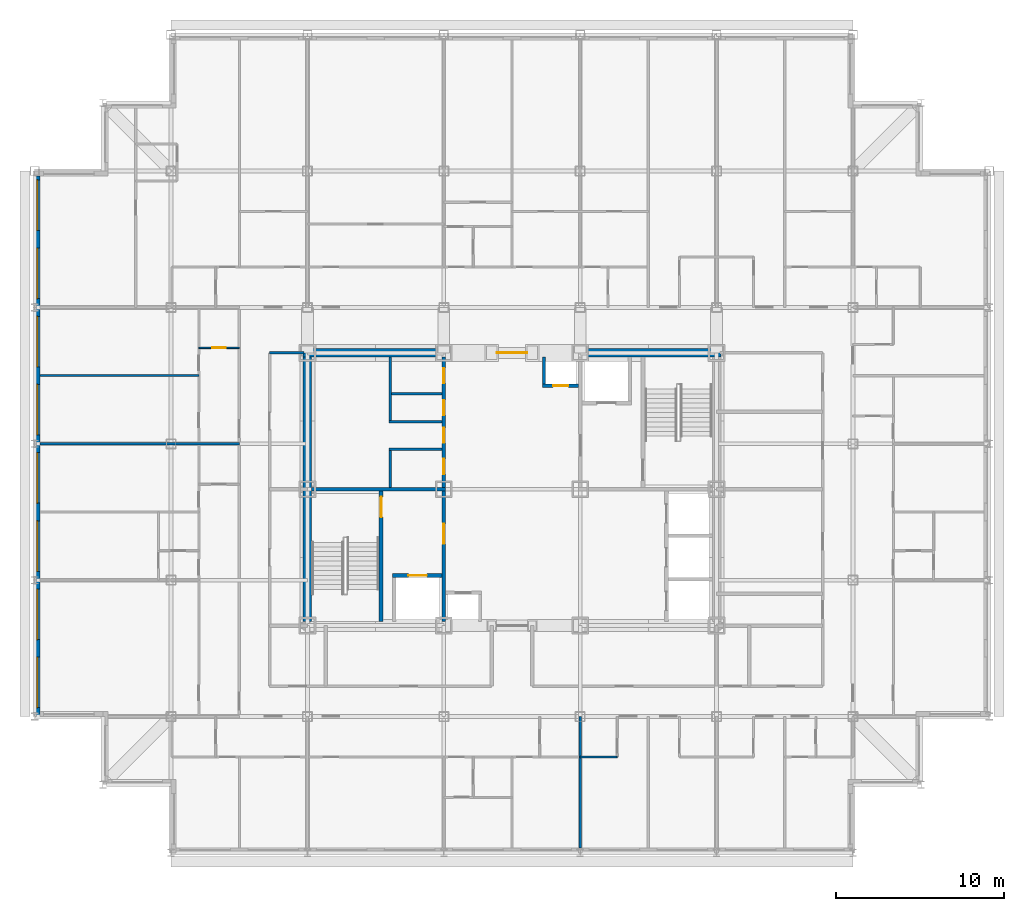
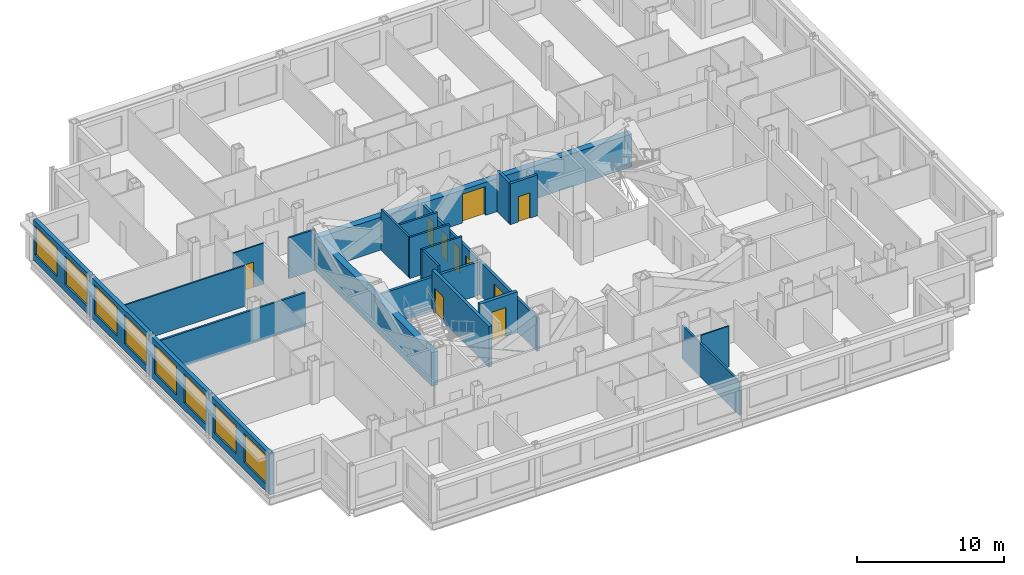
# One storey, part 6 of 12: 21 walls, 10 doors, 8 windows, 18 openings.
"""IFC4 building model written with IfcOpenShell, lengths in metres."""

from ifc_helpers import new_model, si_unit, direction, frame, frame_2d, origin, place, context, subcontext, project, spatial, rectangle, extrude, material, layer, layer_set, type_object, element, fill, save


model = new_model("IFC4")

# Units and contexts
model_context = context("Model", 3, precision=1e-05, world=origin(), true_north=direction((0.0, 1.0)))
body_context = subcontext(model_context, "Body", "Model", "MODEL_VIEW")
ifc_project = project(units=[si_unit("LENGTHUNIT", "METRE"), si_unit("AREAUNIT", "SQUARE_METRE"), si_unit("VOLUMEUNIT", "CUBIC_METRE"), si_unit("PLANEANGLEUNIT", "RADIAN"), si_unit("MASSUNIT", "GRAM", prefix="KILO")], contexts=[model_context])

# Site, building, storey
site_placement = place(None, origin())
site = spatial("IfcSite", under=ifc_project, at=site_placement, CompositionType="ELEMENT")
building_placement = place(site_placement, origin())
building = spatial("IfcBuilding", under=site, at=building_placement, Name="Kopane Lantern Tower", CompositionType="ELEMENT")
storey_placement = place(building_placement, frame((0.0, 0.0, 217.199951171875)))
storey = spatial("IfcBuildingStorey", under=building, at=storey_placement, Name="L56", CompositionType="ELEMENT", Elevation=217.199951171875)

# Walls
ifc_material_1 = material(Name="Gypsum board on steel studs", Category="steel")
ifc_layer_1 = layer(ifc_material_1, 0.1201171875)
ifc_layer_set_1 = layer_set([ifc_layer_1], Name="APARTMENT INTERNAL WALL 120")
wall_type_1 = type_object("IfcWallType", Name="APARTMENT INTERNAL WALL 120", PredefinedType="PARTITIONING", material=ifc_layer_set_1)
wall_1_placement = place(storey_placement, frame((9.75, 39.14990234375, 0.0), z_axis=(0.0, 0.0, 1.0), x_axis=(-1.0, 0.0, 0.0)))
element("IfcWall", 1, at=wall_1_placement, inside=storey, type_object=wall_type_1, Name="Apartment Internal Wall 120 L56", PredefinedType="PARTITIONING", context=body_context, shape_type="SweptSolid", body=[
    extrude(rectangle(XDim=9.449951171875, YDim=0.1201171875, at=frame_2d((4.72509765625, 0.0))), origin(), (0.0, 0.0, 1.0), 3.39013671875),
])
ifc_material_2 = material(Name="Moisture-resistant board on steel studs", Category="steel")
ifc_layer_2 = layer(ifc_material_2, 0.10009765625)
ifc_layer_set_2 = layer_set([ifc_layer_2], Name="BATHROOM WALL 100")
wall_type_2 = type_object("IfcWallType", Name="BATHROOM WALL 100", PredefinedType="PARTITIONING", material=ifc_layer_set_2)
wall_2_placement = place(storey_placement, frame((32.39990234375, 16.5, 0.0), z_axis=(0.0, 0.0, 1.0), x_axis=(1.0, 0.0, 0.0)))
element("IfcWall", 2, at=wall_2_placement, inside=storey, type_object=wall_type_2, Name="Bathroom Wall 100 L56", PredefinedType="PARTITIONING", context=body_context, shape_type="SweptSolid", body=[
    extrude(rectangle(XDim=2.2001953125, YDim=0.10009765625, at=frame_2d((1.10009765625, 0.0))), origin(), (0.0, 0.0, 1.0), 3.39013671875),
])

# Wall, opening, door
wall_3_placement = place(storey_placement, frame((12.14990234375, 40.800048828125, 0.0), z_axis=(0.0, 0.0, 1.0), x_axis=(-1.0, 0.0, 0.0)))
wall_3 = element("IfcWall", 3, at=wall_3_placement, inside=storey, type_object=wall_type_2, Name="Bathroom Wall 100 L56", PredefinedType="PARTITIONING", context=body_context, shape_type="SweptSolid", body=[
    extrude(rectangle(XDim=2.39990234375, YDim=0.10009765625, at=frame_2d((1.199951171875, 0.0))), origin(), (0.0, 0.0, 1.0), 3.39013671875),
])
opening_1_placement = place(wall_3_placement, frame((0.800048828125, 0.0, 0.0)))
opening_1 = element("IfcOpeningElement", 4, at=opening_1_placement, cuts=wall_3, Name="Opening L56-041", PredefinedType="OPENING", context=body_context, shape_type="SweptSolid", body=[
    extrude(rectangle(XDim=0.800048828125, YDim=2.10009765625, at=frame_2d((0.39990234375, 1.050048828125))), frame((0.0, 0.06005859375, 0.0), z_axis=(0.0, -1.0, 0.0), x_axis=(1.0, 0.0, 0.0)), (0.0, 0.0, 1.0), 0.1201171875),
])
ifc_material_3 = material(Name="Timber door set", Category="wood")
door_type_1 = type_object("IfcDoorType", Name="DOOR D2 800x2100", OperationType="SINGLE_SWING_LEFT", PredefinedType="DOOR", material=ifc_material_3)
door_1_placement = place(opening_1_placement, origin())
door_1 = element("IfcDoor", 5, at=door_1_placement, inside=storey, type_object=door_type_1, Name="Door L56-041", OperationType="SINGLE_SWING_RIGHT", OverallHeight=2.10009765625, OverallWidth=0.800048828125, PredefinedType="DOOR", context=body_context, shape_type="SweptSolid", body=[
    extrude(rectangle(XDim=0.800048828125, YDim=2.10009765625, at=frame_2d((0.39990234375, 1.050048828125))), frame((0.0, 0.02490234375, 0.0), z_axis=(0.0, -1.0, 0.0), x_axis=(1.0, 0.0, 0.0)), (0.0, 0.0, 1.0), 0.050048828125),
])
fill(opening_1, door_1)

ifc_material_4 = material(Name="Gypsum shaft wall EI 120", Category="gypsum")
ifc_layer_3 = layer(ifc_material_4, 0.5)
ifc_layer_set_3 = layer_set([ifc_layer_3], Name="CORE PERIMETER WALL 500 EI 120")
wall_type_3 = type_object("IfcWallType", Name="CORE PERIMETER WALL 500 EI 120", PredefinedType="SOLIDWALL", material=ifc_layer_set_3)
wall_4_placement = place(storey_placement, frame((15.949951171875, 40.5, 0.0), z_axis=(0.0, 0.0, 1.0), x_axis=(1.0, 0.0, 0.0)))
wall_4 = element("IfcWall", 6, at=wall_4_placement, inside=storey, type_object=wall_type_3, Name="Core shaft wall L56 PN", PredefinedType="SOLIDWALL", context=body_context, shape_type="SweptSolid", body=[
    extrude(rectangle(XDim=24.800048828125, YDim=0.5, at=frame_2d((12.39990234375, 0.0))), origin(), (0.0, 0.0, 1.0), 2.739990234375),
])
opening_2_placement = place(wall_4_placement, frame((11.5, 0.0, 0.0)))
opening_2 = element("IfcOpeningElement", 7, at=opening_2_placement, cuts=wall_4, Name="Opening 56.CE-N", PredefinedType="OPENING", context=body_context, shape_type="SweptSolid", body=[
    extrude(rectangle(XDim=1.800048828125, YDim=2.39990234375, at=frame_2d((0.89990234375, 1.199951171875))), frame((0.0, 0.260009765625, 0.0), z_axis=(0.0, -1.0, 0.0), x_axis=(1.0, 0.0, 0.0)), (0.0, 0.0, 1.0), 0.52001953125),
])
ifc_material_5 = material(Name="Steel door set", Category="steel")
door_type_2 = type_object("IfcDoorType", Name="CORE ENTRY DOOR 1800x2400 FD60S", OperationType="DOUBLE_DOOR_SINGLE_SWING", PredefinedType="DOOR", material=ifc_material_5)
door_2_placement = place(opening_2_placement, origin())
door_2 = element("IfcDoor", 8, at=door_2_placement, inside=storey, type_object=door_type_2, Name="Core entry door L56 north", OperationType="DOUBLE_DOOR_SINGLE_SWING", OverallHeight=2.39990234375, OverallWidth=1.800048828125, PredefinedType="DOOR", context=body_context, shape_type="SweptSolid", body=[
    extrude(rectangle(XDim=1.800048828125, YDim=2.39990234375, at=frame_2d((0.89990234375, 1.199951171875))), frame((0.0, 0.02490234375, 0.0), z_axis=(0.0, -1.0, 0.0), x_axis=(1.0, 0.0, 0.0)), (0.0, 0.0, 1.0), 0.050048828125),
])
fill(opening_2, door_2)

# Walls
wall_5_placement = place(storey_placement, frame((16.199951171875, 24.550048828125, 0.0), z_axis=(0.0, 0.0, 1.0), x_axis=(0.0, 1.0, 0.0)))
element("IfcWall", 9, at=wall_5_placement, inside=storey, type_object=wall_type_3, Name="Core shaft wall L56 PW", PredefinedType="SOLIDWALL", context=body_context, shape_type="SweptSolid", body=[
    extrude(rectangle(XDim=15.699951171875, YDim=0.5, at=frame_2d((7.85009765625, 0.0))), origin(), (0.0, 0.0, 1.0), 2.77783203125),
])
ifc_material_6 = material(Name="Gypsum partition EI 60", Category="gypsum")
ifc_layer_4 = layer(ifc_material_6, 0.14990234375)
ifc_layer_set_4 = layer_set([ifc_layer_4], Name="CORE ROOM PARTITION 150 EI 60")
wall_type_4 = type_object("IfcWallType", Name="CORE ROOM PARTITION 150 EI 60", PredefinedType="PARTITIONING", material=ifc_layer_set_4)
for number, where, z_axis, x_axis, name in (
    (10, (21.050048828125, 34.77490234375, 0.0), (0.0, 0.0, 1.0), (1.0, 0.0, 0.0), "Core room partition L56 WW1"),
    (11, (21.050048828125, 36.425048828125, 0.0), (0.0, 0.0, 1.0), (1.0, 0.0, 0.0), "Core room partition L56 WW2"),
):
    element("IfcWall", number, at=place(storey_placement, frame(where, z_axis=z_axis, x_axis=x_axis)), inside=storey, type_object=wall_type_4, Name=name, PredefinedType="PARTITIONING", context=body_context, shape_type="SweptSolid", body=[
        extrude(rectangle(XDim=3.14990234375, YDim=0.14990234375, at=frame_2d((1.574951171875, 0.0))), origin(), (0.0, 0.0, 1.0), 3.39013671875),
    ])
wall_6_placement = place(storey_placement, frame((21.199951171875, 38.074951171875, 0.0), z_axis=(0.0, 0.0, 1.0), x_axis=(1.0, 0.0, 0.0)))
element("IfcWall", 12, at=wall_6_placement, inside=storey, type_object=wall_type_4, Name="Core room partition L56 WW3", PredefinedType="PARTITIONING", context=body_context, shape_type="SweptSolid", body=[
    extrude(rectangle(XDim=3.0, YDim=0.14990234375, at=frame_2d((1.5, 0.0))), origin(), (0.0, 0.0, 1.0), 3.39013671875),
])
wall_7_placement = place(storey_placement, frame((21.125, 32.5, 0.0), z_axis=(0.0, 0.0, 1.0), x_axis=(0.0, 1.0, 0.0)))
element("IfcWall", 13, at=wall_7_placement, inside=storey, type_object=wall_type_4, Name="Core room partition L56 WWB0", PredefinedType="PARTITIONING", context=body_context, shape_type="SweptSolid", body=[
    extrude(rectangle(XDim=2.199951171875, YDim=0.14990234375, at=frame_2d((1.10009765625, 0.0))), origin(), (0.0, 0.0, 1.0), 3.39013671875),
])
wall_8_placement = place(storey_placement, frame((21.125, 36.5, 0.0), z_axis=(0.0, 0.0, 1.0), x_axis=(0.0, 1.0, 0.0)))
element("IfcWall", 14, at=wall_8_placement, inside=storey, type_object=wall_type_4, Name="Core room partition L56 WWB1", PredefinedType="PARTITIONING", context=body_context, shape_type="SweptSolid", body=[
    extrude(rectangle(XDim=3.75, YDim=0.14990234375, at=frame_2d((1.875, 0.0))), origin(), (0.0, 0.0, 1.0), 3.39013671875),
])

# Wall, openings, doors
ifc_material_7 = material(Name="Gypsum partition EI 60", Category="gypsum")
ifc_layer_5 = layer(ifc_material_7, 0.199951171875)
ifc_layer_set_5 = layer_set([ifc_layer_5], Name="CORE ROOM WALL 200 EI 60")
wall_type_5 = type_object("IfcWallType", Name="CORE ROOM WALL 200 EI 60", PredefinedType="PARTITIONING", material=ifc_layer_set_5)
wall_9_placement = place(storey_placement, frame((24.300048828125, 32.5, 0.0), z_axis=(0.0, 0.0, 1.0), x_axis=(0.0, 1.0, 0.0)))
wall_9 = element("IfcWall", 15, at=wall_9_placement, inside=storey, type_object=wall_type_5, Name="Core room wall L56 XW", PredefinedType="PARTITIONING", context=body_context, shape_type="SweptSolid", body=[
    extrude(rectangle(XDim=7.75, YDim=0.199951171875, at=frame_2d((3.875, 0.0))), origin(), (0.0, 0.0, 1.0), 2.77783203125),
])
opening_3_placement = place(wall_9_placement, frame((0.800048828125, 0.0, 0.0)))
opening_3 = element("IfcOpeningElement", 16, at=opening_3_placement, cuts=wall_9, Name="Opening 56.C30", PredefinedType="OPENING", context=body_context, shape_type="SweptSolid", body=[
    extrude(rectangle(XDim=0.89990234375, YDim=2.10009765625, at=frame_2d((0.449951171875, 1.050048828125))), frame((0.0, 0.10986328125, 0.0), z_axis=(0.0, -1.0, 0.0), x_axis=(1.0, 0.0, 0.0)), (0.0, 0.0, 1.0), 0.219970703125),
])
opening_4_placement = place(wall_9_placement, frame((2.64990234375, 0.0, 0.0)))
opening_4 = element("IfcOpeningElement", 17, at=opening_4_placement, cuts=wall_9, Name="Opening 56.C31", PredefinedType="OPENING", context=body_context, shape_type="SweptSolid", body=[
    extrude(rectangle(XDim=0.89990234375, YDim=2.10009765625, at=frame_2d((0.449951171875, 1.050048828125))), frame((0.0, 0.10986328125, 0.0), z_axis=(0.0, -1.0, 0.0), x_axis=(1.0, 0.0, 0.0)), (0.0, 0.0, 1.0), 0.219970703125),
])
opening_5_placement = place(wall_9_placement, frame((4.300048828125, 0.0, 0.0)))
opening_5 = element("IfcOpeningElement", 18, at=opening_5_placement, cuts=wall_9, Name="Opening 56.C32", PredefinedType="OPENING", context=body_context, shape_type="SweptSolid", body=[
    extrude(rectangle(XDim=0.89990234375, YDim=2.10009765625, at=frame_2d((0.449951171875, 1.050048828125))), frame((0.0, 0.10986328125, 0.0), z_axis=(0.0, -1.0, 0.0), x_axis=(1.0, 0.0, 0.0)), (0.0, 0.0, 1.0), 0.219970703125),
])
opening_6_placement = place(wall_9_placement, frame((6.199951171875, 0.0, 0.0)))
opening_6 = element("IfcOpeningElement", 19, at=opening_6_placement, cuts=wall_9, Name="Opening 56.C33", PredefinedType="OPENING", context=body_context, shape_type="SweptSolid", body=[
    extrude(rectangle(XDim=0.89990234375, YDim=2.10009765625, at=frame_2d((0.449951171875, 1.050048828125))), frame((0.0, 0.10986328125, 0.0), z_axis=(0.0, -1.0, 0.0), x_axis=(1.0, 0.0, 0.0)), (0.0, 0.0, 1.0), 0.219970703125),
])
ifc_material_8 = material(Name="Steel door set", Category="steel")
door_type_3 = type_object("IfcDoorType", Name="CORE ROOM DOOR 900x2100 FD60", OperationType="SINGLE_SWING_LEFT", PredefinedType="DOOR", material=ifc_material_8)
door_3_placement = place(opening_3_placement, origin())
door_3 = element("IfcDoor", 20, at=door_3_placement, inside=storey, type_object=door_type_3, Name="Door Refuse room L56", OperationType="SINGLE_SWING_RIGHT", OverallHeight=2.10009765625, OverallWidth=0.89990234375, PredefinedType="DOOR", context=body_context, shape_type="SweptSolid", body=[
    extrude(rectangle(XDim=0.89990234375, YDim=2.10009765625, at=frame_2d((0.449951171875, 1.050048828125))), frame((0.0, 0.02490234375, 0.0), z_axis=(0.0, -1.0, 0.0), x_axis=(1.0, 0.0, 0.0)), (0.0, 0.0, 1.0), 0.050048828125),
])
fill(opening_3, door_3)
door_4_placement = place(opening_4_placement, origin())
door_4 = element("IfcDoor", 21, at=door_4_placement, inside=storey, type_object=door_type_3, Name="Door Residents storage L56", OperationType="SINGLE_SWING_RIGHT", OverallHeight=2.10009765625, OverallWidth=0.89990234375, PredefinedType="DOOR", context=body_context, shape_type="SweptSolid", body=[
    extrude(rectangle(XDim=0.89990234375, YDim=2.10009765625, at=frame_2d((0.449951171875, 1.050048828125))), frame((0.0, 0.02490234375, 0.0), z_axis=(0.0, -1.0, 0.0), x_axis=(1.0, 0.0, 0.0)), (0.0, 0.0, 1.0), 0.050048828125),
])
fill(opening_4, door_4)
door_5_placement = place(opening_5_placement, origin())
door_5 = element("IfcDoor", 22, at=door_5_placement, inside=storey, type_object=door_type_3, Name="Door Cleaner store L56", OperationType="SINGLE_SWING_LEFT", OverallHeight=2.10009765625, OverallWidth=0.89990234375, PredefinedType="DOOR", context=body_context, shape_type="SweptSolid", body=[
    extrude(rectangle(XDim=0.89990234375, YDim=2.10009765625, at=frame_2d((0.449951171875, 1.050048828125))), frame((0.0, 0.02490234375, 0.0), z_axis=(0.0, -1.0, 0.0), x_axis=(1.0, 0.0, 0.0)), (0.0, 0.0, 1.0), 0.050048828125),
])
fill(opening_5, door_5)
door_6_placement = place(opening_6_placement, origin())
door_6 = element("IfcDoor", 23, at=door_6_placement, inside=storey, type_object=door_type_3, Name="Door IT room L56", OperationType="SINGLE_SWING_LEFT", OverallHeight=2.10009765625, OverallWidth=0.89990234375, PredefinedType="DOOR", context=body_context, shape_type="SweptSolid", body=[
    extrude(rectangle(XDim=0.89990234375, YDim=2.10009765625, at=frame_2d((0.449951171875, 1.050048828125))), frame((0.0, 0.02490234375, 0.0), z_axis=(0.0, -1.0, 0.0), x_axis=(1.0, 0.0, 0.0)), (0.0, 0.0, 1.0), 0.050048828125),
])
fill(opening_6, door_6)

# Wall, opening, door
ifc_material_9 = material(Name="Gypsum shaft wall EI 120", Category="gypsum")
ifc_layer_6 = layer(ifc_material_9, 0.25)
ifc_layer_set_6 = layer_set([ifc_layer_6], Name="CORE SHAFT WALL 250 EI 120")
wall_type_6 = type_object("IfcWallType", Name="CORE SHAFT WALL 250 EI 120", PredefinedType="SOLIDWALL", material=ifc_layer_set_6)
wall_10_placement = place(storey_placement, frame((20.574951171875, 24.550048828125, 0.0), z_axis=(0.0, 0.0, 1.0), x_axis=(0.0, 1.0, 0.0)))
wall_10 = element("IfcWall", 24, at=wall_10_placement, inside=storey, type_object=wall_type_6, Name="Core shaft wall L56 XST1", PredefinedType="SOLIDWALL", context=body_context, shape_type="SweptSolid", body=[
    extrude(rectangle(XDim=7.75, YDim=0.25, at=frame_2d((3.875, 0.0))), origin(), (0.0, 0.0, 1.0), 3.39013671875),
])
opening_7_placement = place(wall_10_placement, frame((6.199951171875, 0.0, 0.0)))
opening_7 = element("IfcOpeningElement", 25, at=opening_7_placement, cuts=wall_10, Name="Opening 56.SD1", PredefinedType="OPENING", context=body_context, shape_type="SweptSolid", body=[
    extrude(rectangle(XDim=1.199951171875, YDim=2.10009765625, at=frame_2d((0.60009765625, 1.050048828125))), frame((0.0, 0.135009765625, 0.0), z_axis=(0.0, -1.0, 0.0), x_axis=(1.0, 0.0, 0.0)), (0.0, 0.0, 1.0), 0.27001953125),
])
ifc_material_10 = material(Name="Steel door set", Category="steel")
door_type_4 = type_object("IfcDoorType", Name="STAIR DOOR 1200x2100 FD60S", OperationType="SINGLE_SWING_LEFT", PredefinedType="DOOR", material=ifc_material_10)
door_7_placement = place(opening_7_placement, origin())
door_7 = element("IfcDoor", 26, at=door_7_placement, inside=storey, type_object=door_type_4, Name="Stair door ST1 L56", OperationType="SINGLE_SWING_LEFT", OverallHeight=2.10009765625, OverallWidth=1.199951171875, PredefinedType="DOOR", context=body_context, shape_type="SweptSolid", body=[
    extrude(rectangle(XDim=1.199951171875, YDim=2.10009765625, at=frame_2d((0.60009765625, 1.050048828125))), frame((0.0, 0.02490234375, 0.0), z_axis=(0.0, -1.0, 0.0), x_axis=(1.0, 0.0, 0.0)), (0.0, 0.0, 1.0), 0.050048828125),
])
fill(opening_7, door_7)

wall_11_placement = place(storey_placement, frame((21.25, 27.27490234375, 0.0), z_axis=(0.0, 0.0, 1.0), x_axis=(1.0, 0.0, 0.0)))
wall_11 = element("IfcWall", 27, at=wall_11_placement, inside=storey, type_object=wall_type_6, Name="Core shaft wall L56 YLF1", PredefinedType="SOLIDWALL", context=body_context, shape_type="SweptSolid", body=[
    extrude(rectangle(XDim=2.949951171875, YDim=0.25, at=frame_2d((1.47509765625, 0.0))), origin(), (0.0, 0.0, 1.0), 3.39013671875),
])
opening_8_placement = place(wall_11_placement, frame((0.949951171875, 0.0, 0.0)))
opening_8 = element("IfcOpeningElement", 28, at=opening_8_placement, cuts=wall_11, Name="Opening 56.LD-LF1", PredefinedType="OPENING", context=body_context, shape_type="SweptSolid", body=[
    extrude(rectangle(XDim=1.10009765625, YDim=2.39990234375, at=frame_2d((0.550048828125, 1.199951171875))), frame((0.0, 0.135009765625, 0.0), z_axis=(0.0, -1.0, 0.0), x_axis=(1.0, 0.0, 0.0)), (0.0, 0.0, 1.0), 0.27001953125),
])
ifc_material_11 = material(Name="Steel door set", Category="steel")
door_type_5 = type_object("IfcDoorType", Name="LIFT LANDING DOOR 1100x2400 FD60", OperationType="DOUBLE_DOOR_SLIDING", PredefinedType="DOOR", material=ifc_material_11)
door_8_placement = place(opening_8_placement, origin())
door_8 = element("IfcDoor", 29, at=door_8_placement, inside=storey, type_object=door_type_5, Name="Landing door LF1 L56", OperationType="DOUBLE_DOOR_SLIDING", OverallHeight=2.39990234375, OverallWidth=1.10009765625, PredefinedType="DOOR", context=body_context, shape_type="SweptSolid", body=[
    extrude(rectangle(XDim=1.10009765625, YDim=2.39990234375, at=frame_2d((0.550048828125, 1.199951171875))), frame((0.0, 0.02490234375, 0.0), z_axis=(0.0, -1.0, 0.0), x_axis=(1.0, 0.0, 0.0)), (0.0, 0.0, 1.0), 0.050048828125),
])
fill(opening_8, door_8)

# Walls
ifc_material_12 = material(Name="Gypsum board on steel studs", Category="steel")
ifc_layer_7 = layer(ifc_material_12, 0.14990234375)
ifc_layer_set_7 = layer_set([ifc_layer_7], Name="CORRIDOR WALL 150 EI 60")
wall_type_7 = type_object("IfcWallType", Name="CORRIDOR WALL 150 EI 60", PredefinedType="PARTITIONING", material=ifc_layer_set_7)
wall_12_placement = place(storey_placement, frame((16.0, 40.5, 0.0), z_axis=(0.0, 0.0, 1.0), x_axis=(-1.0, 0.0, 0.0)))
element("IfcWall", 30, at=wall_12_placement, inside=storey, type_object=wall_type_7, Name="Corridor Wall 150 Ei 60 L56", PredefinedType="PARTITIONING", context=body_context, shape_type="SweptSolid", body=[
    extrude(rectangle(XDim=2.050048828125, YDim=0.14990234375, at=frame_2d((1.02490234375, 0.0))), origin(), (0.0, 0.0, 1.0), 3.39013671875),
])
ifc_material_13 = material(Name="Gypsum board on steel studs", Category="steel")
ifc_layer_8 = layer(ifc_material_13, 0.14990234375)
ifc_layer_set_8 = layer_set([ifc_layer_8], Name="DEMISING WALL 150 EI 60")
wall_type_8 = type_object("IfcWallType", Name="DEMISING WALL 150 EI 60", PredefinedType="PARTITIONING", material=ifc_layer_set_8)
wall_13_placement = place(storey_placement, frame((32.39990234375, 18.89990234375, 0.0), z_axis=(0.0, 0.0, 1.0), x_axis=(0.0, -1.0, 0.0)))
element("IfcWall", 31, at=wall_13_placement, inside=storey, type_object=wall_type_8, Name="Demising Wall 150 Ei 60 L56", PredefinedType="PARTITIONING", context=body_context, shape_type="SweptSolid", body=[
    extrude(rectangle(XDim=7.7998046875, YDim=0.14990234375, at=frame_2d((3.89990234375, 0.0))), origin(), (0.0, 0.0, 1.0), 2.77783203125),
])
wall_14_placement = place(storey_placement, frame((12.14990234375, 35.10009765625, 0.0), z_axis=(0.0, 0.0, 1.0), x_axis=(-1.0, 0.0, 0.0)))
element("IfcWall", 32, at=wall_14_placement, inside=storey, type_object=wall_type_8, Name="Demising Wall 150 Ei 60 L56", PredefinedType="PARTITIONING", context=body_context, shape_type="SweptSolid", body=[
    extrude(rectangle(XDim=11.849853515625, YDim=0.14990234375, at=frame_2d((5.9248046875, 0.0))), origin(), (0.0, 0.0, 1.0), 2.77783203125),
])

# Wall, openings, windows
ifc_material_14 = material(Name="Terracotta rainscreen on light steel framing", Category="masonry")
ifc_layer_9 = layer(ifc_material_14, 0.300048828125)
ifc_layer_set_9 = layer_set([ifc_layer_9], Name="EXTERNAL WALL EW1 300 TERRACOTTA")
wall_type_9 = type_object("IfcWallType", Name="EXTERNAL WALL EW1 300 TERRACOTTA", PredefinedType="SOLIDWALL", material=ifc_layer_set_9)
wall_15_placement = place(storey_placement, frame((0.14990234375, 51.0, 0.0), z_axis=(0.0, 0.0, 1.0), x_axis=(0.0, -1.0, 0.0)))
wall_15 = element("IfcWall", 33, at=wall_15_placement, inside=storey, type_object=wall_type_9, Name="External wall W L56", PredefinedType="SOLIDWALL", context=body_context, shape_type="SweptSolid", body=[
    extrude(rectangle(XDim=32.10009765625, YDim=0.300048828125, at=frame_2d((16.050048828125, 0.0))), origin(), (0.0, 0.0, 1.0), 3.39013671875),
])
opening_9_placement = place(wall_15_placement, frame((0.22509765625, 0.0, 0.60009765625)))
opening_9 = element("IfcOpeningElement", 34, at=opening_9_placement, cuts=wall_15, Name="Opening WR300240", PredefinedType="OPENING", context=body_context, shape_type="SweptSolid", body=[
    extrude(rectangle(XDim=3.0, YDim=2.39990234375, at=frame_2d((1.5, 1.199951171875))), frame((0.0, 0.159912109375, 0.0), z_axis=(0.0, -1.0, 0.0), x_axis=(1.0, 0.0, 0.0)), (0.0, 0.0, 1.0), 0.320068359375),
])
opening_10_placement = place(wall_15_placement, frame((4.27490234375, 0.0, 0.60009765625)))
opening_10 = element("IfcOpeningElement", 35, at=opening_10_placement, cuts=wall_15, Name="Opening WR300240", PredefinedType="OPENING", context=body_context, shape_type="SweptSolid", body=[
    extrude(rectangle(XDim=3.0, YDim=2.39990234375, at=frame_2d((1.5, 1.199951171875))), frame((0.0, 0.159912109375, 0.0), z_axis=(0.0, -1.0, 0.0), x_axis=(1.0, 0.0, 0.0)), (0.0, 0.0, 1.0), 0.320068359375),
])
opening_11_placement = place(wall_15_placement, frame((8.324951171875, 0.0, 0.60009765625)))
opening_11 = element("IfcOpeningElement", 36, at=opening_11_placement, cuts=wall_15, Name="Opening WR300240", PredefinedType="OPENING", context=body_context, shape_type="SweptSolid", body=[
    extrude(rectangle(XDim=3.0, YDim=2.39990234375, at=frame_2d((1.5, 1.199951171875))), frame((0.0, 0.159912109375, 0.0), z_axis=(0.0, -1.0, 0.0), x_axis=(1.0, 0.0, 0.0)), (0.0, 0.0, 1.0), 0.320068359375),
])
opening_12_placement = place(wall_15_placement, frame((12.375, 0.0, 0.60009765625)))
opening_12 = element("IfcOpeningElement", 37, at=opening_12_placement, cuts=wall_15, Name="Opening WR300240", PredefinedType="OPENING", context=body_context, shape_type="SweptSolid", body=[
    extrude(rectangle(XDim=3.0, YDim=2.39990234375, at=frame_2d((1.5, 1.199951171875))), frame((0.0, 0.159912109375, 0.0), z_axis=(0.0, -1.0, 0.0), x_axis=(1.0, 0.0, 0.0)), (0.0, 0.0, 1.0), 0.320068359375),
])
opening_13_placement = place(wall_15_placement, frame((16.425048828125, 0.0, 0.60009765625)))
opening_13 = element("IfcOpeningElement", 38, at=opening_13_placement, cuts=wall_15, Name="Opening WR300240", PredefinedType="OPENING", context=body_context, shape_type="SweptSolid", body=[
    extrude(rectangle(XDim=3.0, YDim=2.39990234375, at=frame_2d((1.5, 1.199951171875))), frame((0.0, 0.159912109375, 0.0), z_axis=(0.0, -1.0, 0.0), x_axis=(1.0, 0.0, 0.0)), (0.0, 0.0, 1.0), 0.320068359375),
])
opening_14_placement = place(wall_15_placement, frame((20.47509765625, 0.0, 0.60009765625)))
opening_14 = element("IfcOpeningElement", 39, at=opening_14_placement, cuts=wall_15, Name="Opening WR300240", PredefinedType="OPENING", context=body_context, shape_type="SweptSolid", body=[
    extrude(rectangle(XDim=3.0, YDim=2.39990234375, at=frame_2d((1.5, 1.199951171875))), frame((0.0, 0.159912109375, 0.0), z_axis=(0.0, -1.0, 0.0), x_axis=(1.0, 0.0, 0.0)), (0.0, 0.0, 1.0), 0.320068359375),
])
opening_15_placement = place(wall_15_placement, frame((24.52490234375, 0.0, 0.60009765625)))
opening_15 = element("IfcOpeningElement", 40, at=opening_15_placement, cuts=wall_15, Name="Opening WR300240", PredefinedType="OPENING", context=body_context, shape_type="SweptSolid", body=[
    extrude(rectangle(XDim=3.0, YDim=2.39990234375, at=frame_2d((1.5, 1.199951171875))), frame((0.0, 0.159912109375, 0.0), z_axis=(0.0, -1.0, 0.0), x_axis=(1.0, 0.0, 0.0)), (0.0, 0.0, 1.0), 0.320068359375),
])
opening_16_placement = place(wall_15_placement, frame((28.574951171875, 0.0, 0.60009765625)))
opening_16 = element("IfcOpeningElement", 41, at=opening_16_placement, cuts=wall_15, Name="Opening WR300240", PredefinedType="OPENING", context=body_context, shape_type="SweptSolid", body=[
    extrude(rectangle(XDim=3.0, YDim=2.39990234375, at=frame_2d((1.5, 1.199951171875))), frame((0.0, 0.159912109375, 0.0), z_axis=(0.0, -1.0, 0.0), x_axis=(1.0, 0.0, 0.0)), (0.0, 0.0, 1.0), 0.320068359375),
])
ifc_material_15 = material(Name="Aluminium and clear glass", Category="aluminium")
window_type = type_object("IfcWindowType", Name="RIBBON WINDOW WR300240 3000x2400", PartitioningType="SINGLE_PANEL", PredefinedType="WINDOW", material=ifc_material_15)
window_1_placement = place(opening_9_placement, origin())
window_1 = element("IfcWindow", 42, at=window_1_placement, inside=storey, type_object=window_type, Name="Window W L56", OverallHeight=2.39990234375, OverallWidth=3.0, PartitioningType="SINGLE_PANEL", PredefinedType="WINDOW", context=body_context, shape_type="SweptSolid", body=[
    extrude(rectangle(XDim=3.0, YDim=2.39990234375, at=frame_2d((1.5, 1.199951171875))), frame((0.0, 0.030029296875, 0.0), z_axis=(0.0, -1.0, 0.0), x_axis=(1.0, 0.0, 0.0)), (0.0, 0.0, 1.0), 0.06005859375),
])
fill(opening_9, window_1)
window_2_placement = place(opening_10_placement, origin())
window_2 = element("IfcWindow", 43, at=window_2_placement, inside=storey, type_object=window_type, Name="Window W L56", OverallHeight=2.39990234375, OverallWidth=3.0, PartitioningType="SINGLE_PANEL", PredefinedType="WINDOW", context=body_context, shape_type="SweptSolid", body=[
    extrude(rectangle(XDim=3.0, YDim=2.39990234375, at=frame_2d((1.5, 1.199951171875))), frame((0.0, 0.030029296875, 0.0), z_axis=(0.0, -1.0, 0.0), x_axis=(1.0, 0.0, 0.0)), (0.0, 0.0, 1.0), 0.06005859375),
])
fill(opening_10, window_2)
window_3_placement = place(opening_11_placement, origin())
window_3 = element("IfcWindow", 44, at=window_3_placement, inside=storey, type_object=window_type, Name="Window W L56", OverallHeight=2.39990234375, OverallWidth=3.0, PartitioningType="SINGLE_PANEL", PredefinedType="WINDOW", context=body_context, shape_type="SweptSolid", body=[
    extrude(rectangle(XDim=3.0, YDim=2.39990234375, at=frame_2d((1.5, 1.199951171875))), frame((0.0, 0.030029296875, 0.0), z_axis=(0.0, -1.0, 0.0), x_axis=(1.0, 0.0, 0.0)), (0.0, 0.0, 1.0), 0.06005859375),
])
fill(opening_11, window_3)
window_4_placement = place(opening_12_placement, origin())
window_4 = element("IfcWindow", 45, at=window_4_placement, inside=storey, type_object=window_type, Name="Window W L56", OverallHeight=2.39990234375, OverallWidth=3.0, PartitioningType="SINGLE_PANEL", PredefinedType="WINDOW", context=body_context, shape_type="SweptSolid", body=[
    extrude(rectangle(XDim=3.0, YDim=2.39990234375, at=frame_2d((1.5, 1.199951171875))), frame((0.0, 0.030029296875, 0.0), z_axis=(0.0, -1.0, 0.0), x_axis=(1.0, 0.0, 0.0)), (0.0, 0.0, 1.0), 0.06005859375),
])
fill(opening_12, window_4)
window_5_placement = place(opening_13_placement, origin())
window_5 = element("IfcWindow", 46, at=window_5_placement, inside=storey, type_object=window_type, Name="Window W L56", OverallHeight=2.39990234375, OverallWidth=3.0, PartitioningType="SINGLE_PANEL", PredefinedType="WINDOW", context=body_context, shape_type="SweptSolid", body=[
    extrude(rectangle(XDim=3.0, YDim=2.39990234375, at=frame_2d((1.5, 1.199951171875))), frame((0.0, 0.030029296875, 0.0), z_axis=(0.0, -1.0, 0.0), x_axis=(1.0, 0.0, 0.0)), (0.0, 0.0, 1.0), 0.06005859375),
])
fill(opening_13, window_5)
window_6_placement = place(opening_14_placement, origin())
window_6 = element("IfcWindow", 47, at=window_6_placement, inside=storey, type_object=window_type, Name="Window W L56", OverallHeight=2.39990234375, OverallWidth=3.0, PartitioningType="SINGLE_PANEL", PredefinedType="WINDOW", context=body_context, shape_type="SweptSolid", body=[
    extrude(rectangle(XDim=3.0, YDim=2.39990234375, at=frame_2d((1.5, 1.199951171875))), frame((0.0, 0.030029296875, 0.0), z_axis=(0.0, -1.0, 0.0), x_axis=(1.0, 0.0, 0.0)), (0.0, 0.0, 1.0), 0.06005859375),
])
fill(opening_14, window_6)
window_7_placement = place(opening_15_placement, origin())
window_7 = element("IfcWindow", 48, at=window_7_placement, inside=storey, type_object=window_type, Name="Window W L56", OverallHeight=2.39990234375, OverallWidth=3.0, PartitioningType="SINGLE_PANEL", PredefinedType="WINDOW", context=body_context, shape_type="SweptSolid", body=[
    extrude(rectangle(XDim=3.0, YDim=2.39990234375, at=frame_2d((1.5, 1.199951171875))), frame((0.0, 0.030029296875, 0.0), z_axis=(0.0, -1.0, 0.0), x_axis=(1.0, 0.0, 0.0)), (0.0, 0.0, 1.0), 0.06005859375),
])
fill(opening_15, window_7)
window_8_placement = place(opening_16_placement, origin())
window_8 = element("IfcWindow", 49, at=window_8_placement, inside=storey, type_object=window_type, Name="Window W L56", OverallHeight=2.39990234375, OverallWidth=3.0, PartitioningType="SINGLE_PANEL", PredefinedType="WINDOW", context=body_context, shape_type="SweptSolid", body=[
    extrude(rectangle(XDim=3.0, YDim=2.39990234375, at=frame_2d((1.5, 1.199951171875))), frame((0.0, 0.030029296875, 0.0), z_axis=(0.0, -1.0, 0.0), x_axis=(1.0, 0.0, 0.0)), (0.0, 0.0, 1.0), 0.06005859375),
])
fill(opening_16, window_8)

# Wall
ifc_material_16 = material(Name="Gypsum shaft wall EI 120", Category="gypsum")
ifc_layer_10 = layer(ifc_material_16, 0.199951171875)
ifc_layer_set_10 = layer_set([ifc_layer_10], Name="SHAFT WALL 200 EI 120")
wall_type_10 = type_object("IfcWallType", Name="SHAFT WALL 200 EI 120", PredefinedType="SOLIDWALL", material=ifc_layer_set_10)
wall_16_placement = place(storey_placement, frame((16.449951171875, 32.39990234375, 0.0), z_axis=(0.0, 0.0, 1.0), x_axis=(1.0, 0.0, 0.0)))
element("IfcWall", 50, at=wall_16_placement, inside=storey, type_object=wall_type_10, Name="Core shaft wall L56 Y324W", PredefinedType="SOLIDWALL", context=body_context, shape_type="SweptSolid", body=[
    extrude(rectangle(XDim=7.949951171875, YDim=0.199951171875, at=frame_2d((3.97509765625, 0.0))), origin(), (0.0, 0.0, 1.0), 2.77783203125),
])

# Wall, opening, door
wall_17_placement = place(storey_placement, frame((24.300048828125, 24.550048828125, 0.0), z_axis=(0.0, 0.0, 1.0), x_axis=(0.0, 1.0, 0.0)))
wall_17 = element("IfcWall", 51, at=wall_17_placement, inside=storey, type_object=wall_type_10, Name="Core shaft wall L56 X243", PredefinedType="SOLIDWALL", context=body_context, shape_type="SweptSolid", body=[
    extrude(rectangle(XDim=7.75, YDim=0.199951171875, at=frame_2d((3.875, 0.0))), origin(), (0.0, 0.0, 1.0), 2.77783203125),
])
opening_17_placement = place(wall_17_placement, frame((4.60009765625, 0.0, 0.0)))
opening_17 = element("IfcOpeningElement", 52, at=opening_17_placement, cuts=wall_17, Name="Opening 56.FL1", PredefinedType="OPENING", context=body_context, shape_type="SweptSolid", body=[
    extrude(rectangle(XDim=1.199951171875, YDim=2.10009765625, at=frame_2d((0.60009765625, 1.050048828125))), frame((0.0, 0.10986328125, 0.0), z_axis=(0.0, -1.0, 0.0), x_axis=(1.0, 0.0, 0.0)), (0.0, 0.0, 1.0), 0.219970703125),
])
ifc_material_17 = material(Name="Steel door set", Category="steel")
door_type_6 = type_object("IfcDoorType", Name="FIREFIGHTING LOBBY DOOR 1200x2100 FD60S", OperationType="SINGLE_SWING_RIGHT", PredefinedType="DOOR", material=ifc_material_17)
door_9_placement = place(opening_17_placement, origin())
door_9 = element("IfcDoor", 53, at=door_9_placement, inside=storey, type_object=door_type_6, Name="Firefighting lobby door FL1 L56", OperationType="SINGLE_SWING_LEFT", OverallHeight=2.10009765625, OverallWidth=1.199951171875, PredefinedType="DOOR", context=body_context, shape_type="SweptSolid", body=[
    extrude(rectangle(XDim=1.199951171875, YDim=2.10009765625, at=frame_2d((0.60009765625, 1.050048828125))), frame((0.0, 0.02490234375, 0.0), z_axis=(0.0, -1.0, 0.0), x_axis=(1.0, 0.0, 0.0)), (0.0, 0.0, 1.0), 0.050048828125),
])
fill(opening_17, door_9)

# Wall
wall_18_placement = place(storey_placement, frame((30.25, 38.64990234375, 0.0), z_axis=(0.0, 0.0, 1.0), x_axis=(0.0, 1.0, 0.0)))
element("IfcWall", 54, at=wall_18_placement, inside=storey, type_object=wall_type_10, Name="Core shaft wall L56 XRS2", PredefinedType="SOLIDWALL", context=body_context, shape_type="SweptSolid", body=[
    extrude(rectangle(XDim=1.60009765625, YDim=0.199951171875, at=frame_2d((0.800048828125, 0.0))), origin(), (0.0, 0.0, 1.0), 3.39013671875),
])

# Wall, opening, door
wall_19_placement = place(storey_placement, frame((30.14990234375, 38.550048828125, 0.0), z_axis=(0.0, 0.0, 1.0), x_axis=(1.0, 0.0, 0.0)))
wall_19 = element("IfcWall", 55, at=wall_19_placement, inside=storey, type_object=wall_type_10, Name="Core shaft wall L56 YRS2", PredefinedType="SOLIDWALL", context=body_context, shape_type="SweptSolid", body=[
    extrude(rectangle(XDim=2.150146484375, YDim=0.199951171875, at=frame_2d((1.0751953125, 0.0))), origin(), (0.0, 0.0, 1.0), 3.39013671875),
])
opening_18_placement = place(wall_19_placement, frame((0.64990234375, 0.0, 0.0)))
opening_18 = element("IfcOpeningElement", 56, at=opening_18_placement, cuts=wall_19, Name="Opening 56.RS2", PredefinedType="OPENING", context=body_context, shape_type="SweptSolid", body=[
    extrude(rectangle(XDim=0.89990234375, YDim=2.10009765625, at=frame_2d((0.449951171875, 1.050048828125))), frame((0.0, 0.10986328125, 0.0), z_axis=(0.0, -1.0, 0.0), x_axis=(1.0, 0.0, 0.0)), (0.0, 0.0, 1.0), 0.219970703125),
])
ifc_material_18 = material(Name="Steel door set", Category="steel")
door_type_7 = type_object("IfcDoorType", Name="RISER ACCESS DOOR 900x2100 FD60", OperationType="SINGLE_SWING_LEFT", PredefinedType="DOOR", material=ifc_material_18)
door_10_placement = place(opening_18_placement, origin())
door_10 = element("IfcDoor", 57, at=door_10_placement, inside=storey, type_object=door_type_7, Name="Riser access door RS2 L56", OperationType="SINGLE_SWING_LEFT", OverallHeight=2.10009765625, OverallWidth=0.89990234375, PredefinedType="DOOR", context=body_context, shape_type="SweptSolid", body=[
    extrude(rectangle(XDim=0.89990234375, YDim=2.10009765625, at=frame_2d((0.449951171875, 1.050048828125))), frame((0.0, 0.02490234375, 0.0), z_axis=(0.0, -1.0, 0.0), x_axis=(1.0, 0.0, 0.0)), (0.0, 0.0, 1.0), 0.050048828125),
])
fill(opening_18, door_10)

save(model, "model.ifc")
